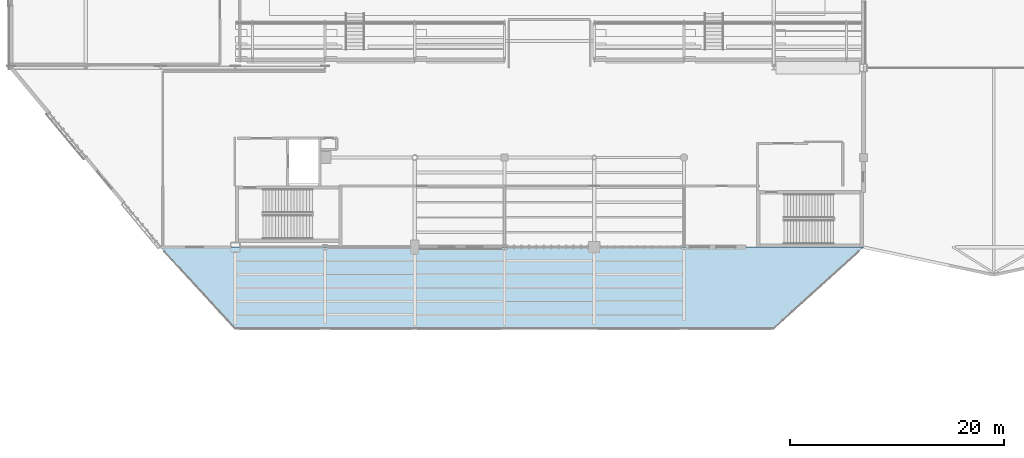
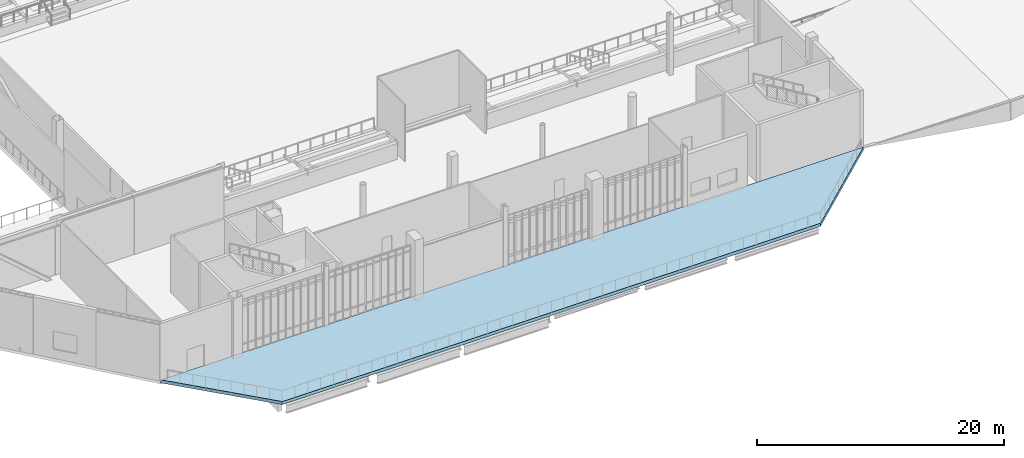
# One storey, part 66 of 135: 1 slab.
"""IFC4 building model written with IfcOpenShell, lengths in metres."""

from ifc_helpers import new_model, si_unit, direction, frame, origin, place, context, subcontext, project, spatial, polyline, outline, extrude, material, layer, layer_set, type_object, element, save


model = new_model("IFC4")

# Units and contexts
model_context = context("Model", 3, precision=1e-05, world=origin(), true_north=direction((0.0, 1.0)))
body_context = subcontext(model_context, "Body", "Model", "MODEL_VIEW")
ifc_project = project(units=[si_unit("LENGTHUNIT", "METRE"), si_unit("AREAUNIT", "SQUARE_METRE"), si_unit("VOLUMEUNIT", "CUBIC_METRE"), si_unit("PLANEANGLEUNIT", "RADIAN"), si_unit("MASSUNIT", "GRAM", prefix="KILO")], contexts=[model_context])

# Site, building, storey
site_placement = place(None, origin())
site = spatial("IfcSite", under=ifc_project, at=site_placement, CompositionType="ELEMENT")
building_placement = place(site_placement, origin())
building = spatial("IfcBuilding", under=site, at=building_placement, Name="Larkvane Passage Sports Hall", CompositionType="ELEMENT")
storey_placement = place(building_placement, frame((0.0, 0.0, 10.800048828125)))
storey = spatial("IfcBuildingStorey", under=building, at=storey_placement, Name="L02", CompositionType="ELEMENT", Elevation=10.800048828125)

# Slab
ifc_material = material(Name="Concrete C40/50", Category="concrete")
ifc_layer = layer(ifc_material, 0.31005859375)
ifc_layer_set = layer_set([ifc_layer], Name="Concrete C40/50")
slab_type = type_object("IfcSlabType", Name="SLB-TER-170", PredefinedType="FLOOR", material=ifc_layer_set)
slab_placement = place(storey_placement, frame((0.0, 0.0, -0.31005859375)))
element("IfcSlab", 1, at=slab_placement, inside=storey, type_object=slab_type, Name="Exterior terrace deck SLAB-EXT-L02-SOUTH", PredefinedType="FLOOR", context=body_context, shape_type="SweptSolid", body=[
    extrude(outline(polyline([(34.800048828125, 15.199951171875), (85.199951171875, 15.199951171875), (93.60009765625, 22.800048828125), (27.800048828125, 22.800048828125), (34.800048828125, 15.199951171875)])), origin(), (0.0, 0.0, 1.0), 0.31005859375),
])

save(model, "model.ifc")
